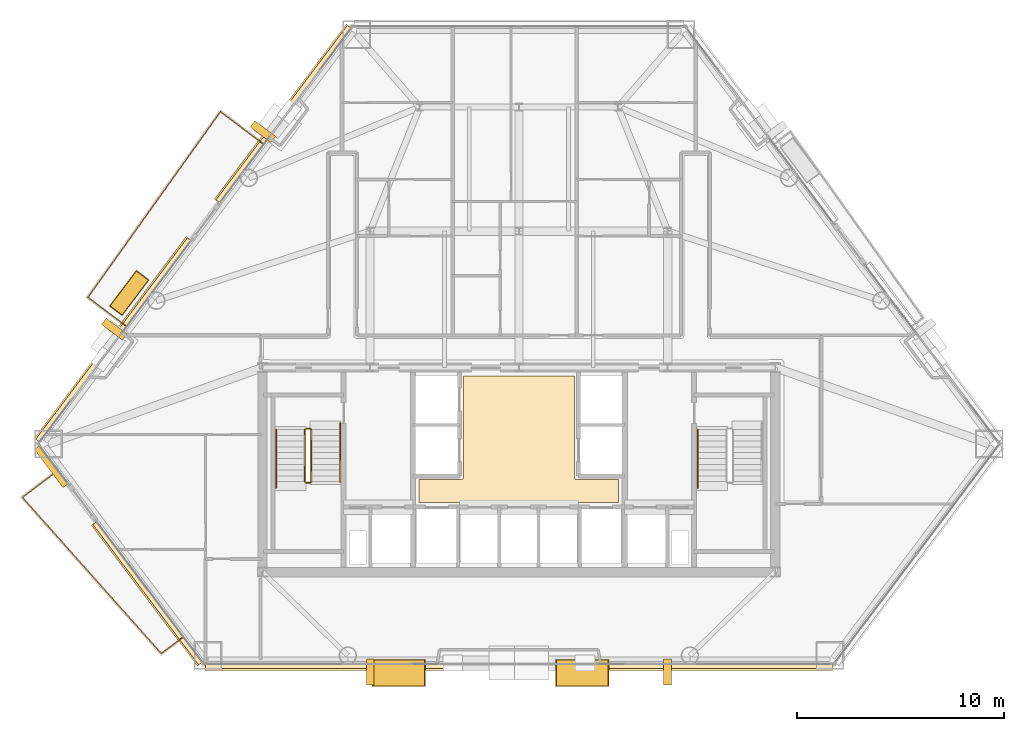
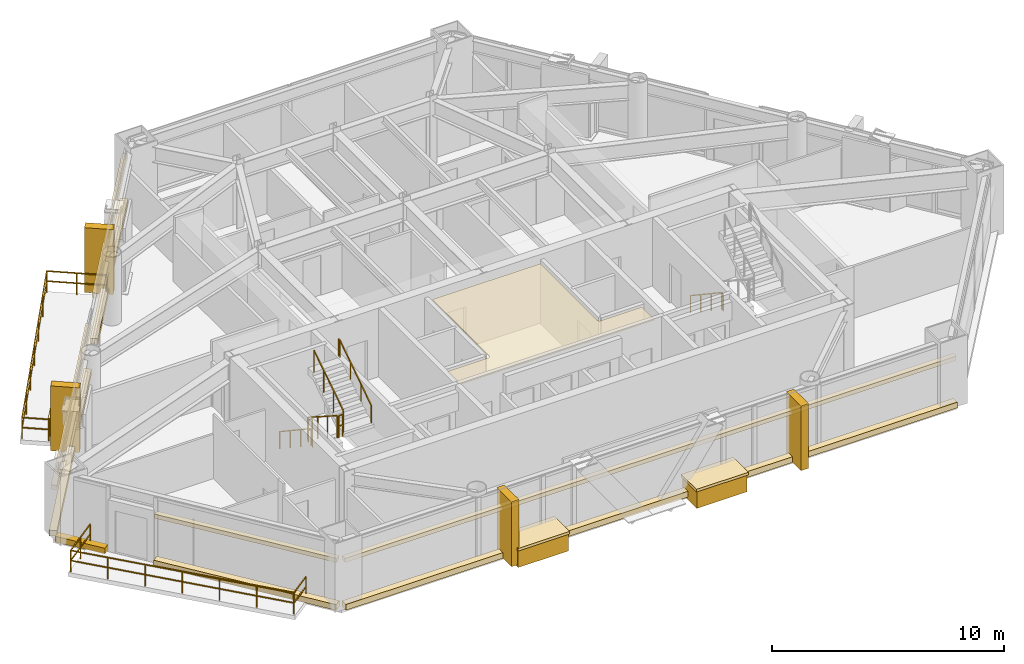
# One storey, part 10 of 11: 20 coverings, 9 railings.
"""IFC4 building model written with IfcOpenShell, lengths in metres."""

from ifc_helpers import new_model, si_unit, direction, frame, origin, origin_2d, place, context, subcontext, project, spatial, polyline, rectangle, outline, extrude, material, layer, layer_set, type_object, element, save


model = new_model("IFC4")

# Units and contexts
model_context = context("Model", 3, precision=1e-05, world=origin(), true_north=direction((0.0, 1.0)))
body_context = subcontext(model_context, "Body", "Model", "MODEL_VIEW")
ifc_project = project(units=[si_unit("LENGTHUNIT", "METRE"), si_unit("AREAUNIT", "SQUARE_METRE"), si_unit("VOLUMEUNIT", "CUBIC_METRE"), si_unit("PLANEANGLEUNIT", "RADIAN"), si_unit("MASSUNIT", "GRAM", prefix="KILO")], contexts=[model_context])

# Site, building, storey
site_placement = place(None, origin())
site = spatial("IfcSite", under=ifc_project, at=site_placement, CompositionType="ELEMENT")
building_placement = place(site_placement, origin())
building = spatial("IfcBuilding", under=site, at=building_placement, Name="Talgorran Terracotta Tower", CompositionType="ELEMENT")
storey_placement = place(building_placement, frame((0.0, 0.0, 38.699951171875)))
storey = spatial("IfcBuildingStorey", under=building, at=storey_placement, Name="L09", CompositionType="ELEMENT", Elevation=38.699951171875)

# Coverings
ifc_material_1 = material(Name="Kiln-Fired Terracotta Ochre Ceramic", Category="masonry")
ifc_layer_1 = layer(ifc_material_1, 0.179931640625, Name="COV_BAGUETTE_TERRACOTTA_SCREEN")
ifc_layer_set_1 = layer_set([ifc_layer_1], Name="Kiln-Fired Terracotta Ochre Ceramic")
covering_type_1 = type_object("IfcCoveringType", Name="COV_BAGUETTE_TERRACOTTA_SCREEN", PredefinedType="CLADDING", material=ifc_layer_set_1)
covering_1_placement = place(storey_placement, frame((-17.9482421875, -15.110595703125, 2.41015625), z_axis=(0.0, 0.0, 1.0), x_axis=(0.601633803014, -0.798772036986, 0.0)))
element("IfcCovering", 1, at=covering_1_placement, inside=storey, type_object=covering_type_1, Name="L09 Terracotta Baguette Solar Screen Assembly F11", PredefinedType="CLADDING", context=body_context, shape_type="SweptSolid", body=[
    extrude(rectangle(XDim=8.506103515625, YDim=0.260009765625, at=origin_2d()), origin(), (0.0, 0.0, 1.0), 0.219970703125),
])
covering_2_placement = place(storey_placement, frame((0.0, -18.635498046875, 2.41015625), z_axis=(0.0, 0.0, 1.0), x_axis=(1.0, 0.0, 0.0)))
element("IfcCovering", 2, at=covering_2_placement, inside=storey, type_object=covering_type_1, Name="L09 Terracotta Baguette Solar Screen Assembly F1", PredefinedType="CLADDING", context=body_context, shape_type="SweptSolid", body=[
    extrude(rectangle(XDim=30.3466796875, YDim=0.260009765625, at=origin_2d()), origin(), (0.0, 0.0, 1.0), 0.219970703125),
])
covering_3_placement = place(storey_placement, frame((-11.37158203125, 8.057861328125, 2.41015625), z_axis=(0.0, 0.0, 1.0), x_axis=(-0.601633803014, -0.798772036986, 0.0)))
element("IfcCovering", 3, at=covering_3_placement, inside=storey, type_object=covering_type_1, Name="L09 Terracotta Baguette Solar Screen Assembly F60", PredefinedType="CLADDING", context=body_context, shape_type="SweptSolid", body=[
    extrude(rectangle(XDim=10.566650390625, YDim=0.260009765625, at=origin_2d()), origin(), (0.0, 0.0, 1.0), 0.219970703125),
])
covering_4_placement = place(storey_placement, frame((-19.603759765625, -2.8720703125, 2.41015625), z_axis=(0.0, 0.0, 1.0), x_axis=(-0.601633803014, -0.798772036986, 0.0)))
element("IfcCovering", 4, at=covering_4_placement, inside=storey, type_object=covering_type_1, Name="L09 Terracotta Baguette Solar Screen Assembly F61", PredefinedType="CLADDING", context=body_context, shape_type="SweptSolid", body=[
    extrude(rectangle(XDim=12.199462890625, YDim=0.260009765625, at=origin_2d()), origin(), (0.0, 0.0, 1.0), 0.219970703125),
])
ifc_material_2 = material(Name="Flush Moisture-Resistant Plaster")
ifc_layer_2 = layer(ifc_material_2, 0.01806640625, Name="COV_CEIL_PLASTER")
ifc_layer_set_2 = layer_set([ifc_layer_2], Name="Flush Moisture-Resistant Plaster")
covering_type_2 = type_object("IfcCoveringType", Name="COV_CEIL_PLASTER", PredefinedType="CEILING", material=ifc_layer_set_2)
covering_5_placement = place(storey_placement, frame((0.0, 0.0, 3.260009765625)))
element("IfcCovering", 5, at=covering_5_placement, inside=storey, type_object=covering_type_2, Name="CEIL-L09-1", PredefinedType="CEILING", context=body_context, shape_type="SweptSolid", body=[
    extrude(outline(polyline([(-4.830078125, -9.6201171875), (-2.800048828125, -9.6201171875), (-2.7880859375, -9.619384765625), (-2.776611328125, -9.61767578125), (-2.76513671875, -9.61474609375), (-2.754150390625, -9.61083984375), (-2.743408203125, -9.605712890625), (-2.7333984375, -9.599853515625), (-2.723876953125, -9.5927734375), (-2.715087890625, -9.5849609375), (-2.707275390625, -9.576171875), (-2.7001953125, -9.566650390625), (-2.694091796875, -9.556640625), (-2.689208984375, -9.5458984375), (-2.685302734375, -9.534912109375), (-2.682373046875, -9.5234375), (-2.6806640625, -9.51171875), (-2.679931640625, -9.5), (-2.679931640625, -4.6201171875), (2.679931640625, -4.6201171875), (2.679931640625, -9.5), (2.6806640625, -9.51171875), (2.682373046875, -9.5234375), (2.685302734375, -9.534912109375), (2.689208984375, -9.5458984375), (2.694091796875, -9.556640625), (2.7001953125, -9.566650390625), (2.707275390625, -9.576171875), (2.715087890625, -9.5849609375), (2.723876953125, -9.5927734375), (2.7333984375, -9.599853515625), (2.743408203125, -9.605712890625), (2.754150390625, -9.61083984375), (2.76513671875, -9.61474609375), (2.776611328125, -9.61767578125), (2.7880859375, -9.619384765625), (2.800048828125, -9.6201171875), (4.830078125, -9.6201171875), (4.830078125, -10.72998046875), (-4.830078125, -10.72998046875), (-4.830078125, -9.6201171875)])), origin(), (0.0, 0.0, 1.0), 0.02001953125),
])
ifc_material_3 = material(Name="Honed Limestone and Terracotta Planter", Category="masonry")
ifc_layer_3 = layer(ifc_material_3, 0.1201171875, Name="COV_PLANTER_BOX")
ifc_layer_set_3 = layer_set([ifc_layer_3], Name="Honed Limestone and Terracotta Planter")
covering_type_3 = type_object("IfcCoveringType", Name="COV_PLANTER_BOX", PredefinedType="CLADDING", material=ifc_layer_set_3)
for number, where, z_axis, x_axis, name in (
    (6, (3.060546875, -18.9755859375, -0.179931640625), (0.0, 0.0, 1.0), (1.0, 0.0, 0.0), "L09 Staggered South Facade Planter Box 1"),
    (7, (-5.815185546875, -18.9755859375, -0.179931640625), (0.0, 0.0, 1.0), (1.0, 0.0, 0.0), "L09 Staggered South Facade Planter Box 2"),
):
    element("IfcCovering", number, at=place(storey_placement, frame(where, z_axis=z_axis, x_axis=x_axis)), inside=storey, type_object=covering_type_3, Name=name, PredefinedType="CLADDING", context=body_context, shape_type="SweptSolid", body=[
        extrude(rectangle(XDim=2.5, YDim=1.25, at=origin_2d()), origin(), (0.0, 0.0, 1.0), 0.919921875),
    ])
covering_6_placement = place(storey_placement, frame((-18.851806640625, -0.593994140625, -0.02001953125), z_axis=(0.0, 0.0, 1.0), x_axis=(-0.601633803014, -0.798772036986, 0.0)))
element("IfcCovering", 8, at=covering_6_placement, inside=storey, type_object=covering_type_3, Name="L09 Staggered Balcony Planter Box BAL-NW", PredefinedType="CLADDING", context=body_context, shape_type="SweptSolid", body=[
    extrude(rectangle(XDim=2.10009765625, YDim=0.719970703125, at=origin_2d()), origin(), (0.0, 0.0, 1.0), 0.860107421875),
])
ifc_material_4 = material(Name="Kiln-Fired Terracotta Planter Rim", Category="masonry")
ifc_layer_4 = layer(ifc_material_4, 0.10009765625, Name="COV_PLANTER_RIM")
ifc_layer_set_4 = layer_set([ifc_layer_4], Name="Kiln-Fired Terracotta Planter Rim")
covering_type_4 = type_object("IfcCoveringType", Name="COV_PLANTER_RIM", PredefinedType="CLADDING", material=ifc_layer_set_4)
for number, where, z_axis, x_axis, name in (
    (9, (3.060546875, -18.9755859375, 0.7099609375), (0.0, 0.0, 1.0), (1.0, 0.0, 0.0), "L09 South Planter Terracotta Rim 1"),
    (10, (-5.815185546875, -18.9755859375, 0.7099609375), (0.0, 0.0, 1.0), (1.0, 0.0, 0.0), "L09 South Planter Terracotta Rim 2"),
):
    element("IfcCovering", number, at=place(storey_placement, frame(where, z_axis=z_axis, x_axis=x_axis)), inside=storey, type_object=covering_type_4, Name=name, PredefinedType="CLADDING", context=body_context, shape_type="SweptSolid", body=[
        extrude(rectangle(XDim=2.580078125, YDim=1.320068359375, at=origin_2d()), origin(), (0.0, 0.0, 1.0), 0.139892578125),
    ])
covering_7_placement = place(storey_placement, frame((-18.851806640625, -0.593994140625, 0.800048828125), z_axis=(0.0, 0.0, 1.0), x_axis=(-0.601633803014, -0.798772036986, 0.0)))
element("IfcCovering", 11, at=covering_7_placement, inside=storey, type_object=covering_type_4, Name="L09 Balcony Planter Terracotta Rim BAL-NW", PredefinedType="CLADDING", context=body_context, shape_type="SweptSolid", body=[
    extrude(rectangle(XDim=2.179931640625, YDim=0.780029296875, at=origin_2d()), origin(), (0.0, 0.0, 1.0), 0.1201171875),
])
ifc_material_5 = material(Name="Honed Limestone Cladding", Category="masonry")
ifc_layer_5 = layer(ifc_material_5, 0.094970703125, Name="COV_PORTAL_LIME")
ifc_layer_set_5 = layer_set([ifc_layer_5], Name="Honed Limestone Cladding")
covering_type_5 = type_object("IfcCoveringType", Name="COV_PORTAL_LIME", PredefinedType="CLADDING", material=ifc_layer_set_5)
for number, where, z_axis, x_axis, name in (
    (12, (-7.1923828125, -18.935546875, -0.0498046875), (0.0, 0.0, 1.0), (1.0, 0.0, 0.0), "L09 White Striped Portal Fin F1-1"),
    (13, (-12.3857421875, 7.2099609375, -0.0498046875), (0.0, 0.0, 1.0), (-0.601633803014, -0.798772036986, 0.0), "L09 White Striped Portal Fin F5-1"),
):
    element("IfcCovering", number, at=place(storey_placement, frame(where, z_axis=z_axis, x_axis=x_axis)), inside=storey, type_object=covering_type_5, Name=name, PredefinedType="CLADDING", context=body_context, shape_type="SweptSolid", body=[
        extrude(rectangle(XDim=0.3798828125, YDim=1.25, at=origin_2d()), origin(), (0.0, 0.0, 1.0), 3.39990234375),
    ])
ifc_material_6 = material(Name="Kiln-Fired Terracotta Cladding", Category="masonry")
ifc_layer_6 = layer(ifc_material_6, 0.090087890625, Name="COV_PORTAL_TERRA")
ifc_layer_set_6 = layer_set([ifc_layer_6], Name="Kiln-Fired Terracotta Cladding")
covering_type_6 = type_object("IfcCoveringType", Name="COV_PORTAL_TERRA", PredefinedType="CLADDING", material=ifc_layer_set_6)
covering_8_placement = place(storey_placement, frame((-22.614013671875, -8.982421875, -0.0400390625), z_axis=(0.0, 0.0, 1.0), x_axis=(0.601647744124, -0.798761536374, 0.0)))
element("IfcCovering", 14, at=covering_8_placement, inside=storey, type_object=covering_type_6, Name="L09 Striped Postmodern Portal Cladding Band F10", PredefinedType="CLADDING", context=body_context, shape_type="SweptSolid", body=[
    extrude(rectangle(XDim=2.318115234375, YDim=0.340087890625, at=origin_2d()), origin(), (0.0, 0.0, 1.0), 0.300048828125),
])
covering_9_placement = place(storey_placement, frame((-17.980224609375, -15.134765625, -0.0400390625), z_axis=(0.0, 0.0, 1.0), x_axis=(0.601633803014, -0.798772036986, 0.0)))
element("IfcCovering", 15, at=covering_9_placement, inside=storey, type_object=covering_type_6, Name="L09 Striped Postmodern Portal Cladding Band F11", PredefinedType="CLADDING", context=body_context, shape_type="SweptSolid", body=[
    extrude(rectangle(XDim=8.526123046875, YDim=0.340087890625, at=origin_2d()), origin(), (0.0, 0.0, 1.0), 0.300048828125),
])
covering_10_placement = place(storey_placement, frame((0.0, -18.675537109375, -0.0400390625), z_axis=(0.0, 0.0, 1.0), x_axis=(1.0, 0.0, 0.0)))
element("IfcCovering", 16, at=covering_10_placement, inside=storey, type_object=covering_type_6, Name="L09 Striped Postmodern Portal Cladding Band F1", PredefinedType="CLADDING", context=body_context, shape_type="SweptSolid", body=[
    extrude(rectangle(XDim=30.36669921875, YDim=0.340087890625, at=origin_2d()), origin(), (0.0, 0.0, 1.0), 0.300048828125),
])
covering_11_placement = place(storey_placement, frame((-11.403564453125, 8.081787109375, -0.0400390625), z_axis=(0.0, 0.0, 1.0), x_axis=(-0.601633803014, -0.798772036986, 0.0)))
element("IfcCovering", 17, at=covering_11_placement, inside=storey, type_object=covering_type_6, Name="L09 Striped Postmodern Portal Cladding Band F60", PredefinedType="CLADDING", context=body_context, shape_type="SweptSolid", body=[
    extrude(rectangle(XDim=10.586669921875, YDim=0.340087890625, at=origin_2d()), origin(), (0.0, 0.0, 1.0), 0.300048828125),
])
covering_12_placement = place(storey_placement, frame((-19.635498046875, -2.847900390625, -0.0400390625), z_axis=(0.0, 0.0, 1.0), x_axis=(-0.601633803014, -0.798772036986, 0.0)))
element("IfcCovering", 18, at=covering_12_placement, inside=storey, type_object=covering_type_6, Name="L09 Striped Postmodern Portal Cladding Band F61", PredefinedType="CLADDING", context=body_context, shape_type="SweptSolid", body=[
    extrude(rectangle(XDim=12.219482421875, YDim=0.340087890625, at=origin_2d()), origin(), (0.0, 0.0, 1.0), 0.300048828125),
])
for number, where, z_axis, x_axis, name in (
    (19, (7.1923828125, -18.935546875, -0.0498046875), (0.0, 0.0, 1.0), (1.0, 0.0, 0.0), "L09 Terracotta Striped Portal Fin F1-2"),
    (20, (-19.578369140625, -2.339599609375, -0.0498046875), (0.0, 0.0, 1.0), (-0.601633803014, -0.798772036986, 0.0), "L09 Terracotta Striped Portal Fin F5-2"),
):
    element("IfcCovering", number, at=place(storey_placement, frame(where, z_axis=z_axis, x_axis=x_axis)), inside=storey, type_object=covering_type_6, Name=name, PredefinedType="CLADDING", context=body_context, shape_type="SweptSolid", body=[
        extrude(rectangle(XDim=0.3798828125, YDim=1.25, at=origin_2d()), origin(), (0.0, 0.0, 1.0), 3.39990234375),
    ])

# Railings
ifc_material_7 = material(Name="Laminated Glass and Stainless Steel 316", Category="steel")
railing_type_1 = type_object("IfcRailingType", Name="RL_BALCONY_1150", PredefinedType="BALUSTRADE", material=ifc_material_7)
railing_1_placement = place(storey_placement, frame((-12.35986328125, 6.612548828125, 0.0)))
element("IfcRailing", 21, at=railing_1_placement, inside=storey, type_object=railing_type_1, Name="RL-L09-BAL-BAL-NW", PredefinedType="BALUSTRADE", context=body_context, shape_type="SweptSolid", body=[
    extrude(rectangle(XDim=0.048095703125, YDim=0.048095703125, at=origin_2d()), frame((0.0, 0.0, 1.1259765625), z_axis=(-0.798783879792, 0.601618079336, 0.0), x_axis=(-0.601618079336, -0.798783879792, 0.0)), (0.0, 0.0, 1.0), 2.605224609375),
    extrude(rectangle(XDim=0.048095703125, YDim=0.048095703125, at=origin_2d()), frame((0.0, 0.0, 0.597900390625), z_axis=(-0.798783879792, 0.601618079336, 0.0), x_axis=(-0.601618079336, -0.798783879792, 0.0)), (0.0, 0.0, 1.0), 2.605224609375),
    extrude(rectangle(XDim=0.048095703125, YDim=0.048095703125, at=origin_2d()), frame((-2.0810546875, 1.5673828125, 1.1259765625), z_axis=(-0.580945178198, -0.813942688357, 0.0), x_axis=(0.813942688357, -0.580945178198, 0.0)), (0.0, 0.0, 1.0), 11.03564453125),
    extrude(rectangle(XDim=0.048095703125, YDim=0.048095703125, at=origin_2d()), frame((-2.0810546875, 1.5673828125, 0.597900390625), z_axis=(-0.580945178198, -0.813942688357, 0.0), x_axis=(0.813942688357, -0.580945178198, 0.0)), (0.0, 0.0, 1.0), 11.03564453125),
    extrude(rectangle(XDim=0.048095703125, YDim=0.048095703125, at=origin_2d()), frame((-8.4921875, -7.4150390625, 1.1259765625), z_axis=(0.798761997288, -0.601647132203, 0.0), x_axis=(0.601647132203, 0.798761997288, 0.0)), (0.0, 0.0, 1.0), 2.322265625),
    extrude(rectangle(XDim=0.048095703125, YDim=0.048095703125, at=origin_2d()), frame((-8.4921875, -7.4150390625, 0.597900390625), z_axis=(0.798761997288, -0.601647132203, 0.0), x_axis=(0.601647132203, 0.798761997288, 0.0)), (0.0, 0.0, 1.0), 2.322265625),
    extrude(rectangle(XDim=0.0419921875, YDim=0.0419921875, at=origin_2d()), origin(), (0.0, 0.0, 1.0), 1.101806640625),
    extrude(rectangle(XDim=0.0419921875, YDim=0.0419921875, at=origin_2d()), frame((-1.04052734375, 0.78369140625, 0.0)), (0.0, 0.0, 1.0), 1.101806640625),
    extrude(rectangle(XDim=0.0419921875, YDim=0.0419921875, at=origin_2d()), frame((-2.0810546875, 1.5673828125, 0.0)), (0.0, 0.0, 1.0), 1.101806640625),
    extrude(rectangle(XDim=0.0419921875, YDim=0.0419921875, at=origin_2d()), frame((-3.149658203125, 0.0703125, 0.0)), (0.0, 0.0, 1.0), 1.101806640625),
    extrude(rectangle(XDim=0.0419921875, YDim=0.0419921875, at=origin_2d()), frame((-4.218017578125, -1.4267578125, 0.0)), (0.0, 0.0, 1.0), 1.101806640625),
    extrude(rectangle(XDim=0.0419921875, YDim=0.0419921875, at=origin_2d()), frame((-5.28662109375, -2.923828125, 0.0)), (0.0, 0.0, 1.0), 1.101806640625),
    extrude(rectangle(XDim=0.0419921875, YDim=0.0419921875, at=origin_2d()), frame((-6.355224609375, -4.4208984375, 0.0)), (0.0, 0.0, 1.0), 1.101806640625),
    extrude(rectangle(XDim=0.0419921875, YDim=0.0419921875, at=origin_2d()), frame((-7.423583984375, -5.91796875, 0.0)), (0.0, 0.0, 1.0), 1.101806640625),
    extrude(rectangle(XDim=0.0419921875, YDim=0.0419921875, at=origin_2d()), frame((-8.4921875, -7.4150390625, 0.0)), (0.0, 0.0, 1.0), 1.101806640625),
    extrude(rectangle(XDim=0.0419921875, YDim=0.0419921875, at=origin_2d()), frame((-7.564697265625, -8.11376953125, 0.0)), (0.0, 0.0, 1.0), 1.101806640625),
    extrude(rectangle(XDim=0.0419921875, YDim=0.0419921875, at=origin_2d()), frame((-6.63720703125, -8.812255859375, 0.0)), (0.0, 0.0, 1.0), 1.101806640625),
])
railing_2_placement = place(storey_placement, frame((-22.30908203125, -9.187744140625, 0.0)))
element("IfcRailing", 22, at=railing_2_placement, inside=storey, type_object=railing_type_1, Name="RL-L09-BAL-BAL-SW", PredefinedType="BALUSTRADE", context=body_context, shape_type="SweptSolid", body=[
    extrude(rectangle(XDim=0.048095703125, YDim=0.048095703125, at=origin_2d()), frame((0.0, 0.0, 1.1259765625), z_axis=(-0.798825800314, -0.601562416339, 0.0), x_axis=(0.601562416339, -0.798825800314, 0.0)), (0.0, 0.0, 1.0), 2.1484375),
    extrude(rectangle(XDim=0.048095703125, YDim=0.048095703125, at=origin_2d()), frame((0.0, 0.0, 0.597900390625), z_axis=(-0.798825800314, -0.601562416339, 0.0), x_axis=(0.601562416339, -0.798825800314, 0.0)), (0.0, 0.0, 1.0), 2.1484375),
    extrude(rectangle(XDim=0.048095703125, YDim=0.048095703125, at=origin_2d()), frame((-1.71630859375, -1.29248046875, 1.1259765625), z_axis=(0.664894032664, -0.746937698424, 0.0), x_axis=(0.746937698424, 0.664894032664, 0.0)), (0.0, 0.0, 1.0), 10.114501953125),
    extrude(rectangle(XDim=0.048095703125, YDim=0.048095703125, at=origin_2d()), frame((-1.71630859375, -1.29248046875, 0.597900390625), z_axis=(0.664894032664, -0.746937698424, 0.0), x_axis=(0.746937698424, 0.664894032664, 0.0)), (0.0, 0.0, 1.0), 10.114501953125),
    extrude(rectangle(XDim=0.048095703125, YDim=0.048095703125, at=origin_2d()), frame((5.0087890625, -8.847412109375, 1.1259765625), z_axis=(0.798823780259, 0.601565098799, 0.0), x_axis=(-0.601565098799, 0.798823780259, 0.0)), (0.0, 0.0, 1.0), 1.32177734375),
    extrude(rectangle(XDim=0.048095703125, YDim=0.048095703125, at=origin_2d()), frame((5.0087890625, -8.847412109375, 0.597900390625), z_axis=(0.798823780259, 0.601565098799, 0.0), x_axis=(-0.601565098799, 0.798823780259, 0.0)), (0.0, 0.0, 1.0), 1.32177734375),
    extrude(rectangle(XDim=0.0419921875, YDim=0.0419921875, at=origin_2d()), origin(), (0.0, 0.0, 1.0), 1.101806640625),
    extrude(rectangle(XDim=0.0419921875, YDim=0.0419921875, at=origin_2d()), frame((-0.858154296875, -0.646240234375, 0.0)), (0.0, 0.0, 1.0), 1.101806640625),
    extrude(rectangle(XDim=0.0419921875, YDim=0.0419921875, at=origin_2d()), frame((-1.71630859375, -1.29248046875, 0.0)), (0.0, 0.0, 1.0), 1.101806640625),
    extrude(rectangle(XDim=0.0419921875, YDim=0.0419921875, at=origin_2d()), frame((-0.595458984375, -2.5517578125, 0.0)), (0.0, 0.0, 1.0), 1.101806640625),
    extrude(rectangle(XDim=0.0419921875, YDim=0.0419921875, at=origin_2d()), frame((0.525390625, -3.810791015625, 0.0)), (0.0, 0.0, 1.0), 1.101806640625),
    extrude(rectangle(XDim=0.0419921875, YDim=0.0419921875, at=origin_2d()), frame((1.646240234375, -5.06982421875, 0.0)), (0.0, 0.0, 1.0), 1.101806640625),
    extrude(rectangle(XDim=0.0419921875, YDim=0.0419921875, at=origin_2d()), frame((2.76708984375, -6.3291015625, 0.0)), (0.0, 0.0, 1.0), 1.101806640625),
    extrude(rectangle(XDim=0.0419921875, YDim=0.0419921875, at=origin_2d()), frame((3.887939453125, -7.58837890625, 0.0)), (0.0, 0.0, 1.0), 1.101806640625),
    extrude(rectangle(XDim=0.0419921875, YDim=0.0419921875, at=origin_2d()), frame((5.0087890625, -8.847412109375, 0.0)), (0.0, 0.0, 1.0), 1.101806640625),
    extrude(rectangle(XDim=0.0419921875, YDim=0.0419921875, at=origin_2d()), frame((6.064697265625, -8.05224609375, 0.0)), (0.0, 0.0, 1.0), 1.101806640625),
])
ifc_material_8 = material(Name="Steel S355 (300PLUS)", Category="steel")
railing_type_2 = type_object("IfcRailingType", Name="RL_HANDRAIL_920", PredefinedType="HANDRAIL", material=ifc_material_8)
railing_3_placement = place(storey_placement, frame((-11.75, -7.199951171875, 0.179931640625)))
element("IfcRailing", 23, at=railing_3_placement, inside=storey, type_object=railing_type_2, Name="L09 ST-01 stair handrail 1", PredefinedType="HANDRAIL", context=body_context, shape_type="SweptSolid", body=[
    extrude(rectangle(XDim=0.048095703125, YDim=0.048095703125, at=origin_2d()), frame((0.0, 0.0, 0.89599609375), z_axis=(0.0, -0.832038719335, 0.554717558338), x_axis=(1.0, 0.0, 0.0)), (0.0, 0.0, 1.0), 3.244873046875),
    extrude(rectangle(XDim=0.048095703125, YDim=0.048095703125, at=origin_2d()), frame((0.0, -2.699951171875, 2.69580078125), z_axis=(0.0, -1.0, 0.0), x_axis=(1.0, 0.0, 0.0)), (0.0, 0.0, 1.0), 0.1201171875),
    extrude(rectangle(XDim=0.0419921875, YDim=0.0419921875, at=origin_2d()), origin(), (0.0, 0.0, 1.0), 0.871826171875),
    extrude(rectangle(XDim=0.0419921875, YDim=0.0419921875, at=origin_2d()), frame((0.0, -0.89990234375, 0.60009765625)), (0.0, 0.0, 1.0), 0.871826171875),
    extrude(rectangle(XDim=0.0419921875, YDim=0.0419921875, at=origin_2d()), frame((0.0, -1.800048828125, 1.199951171875)), (0.0, 0.0, 1.0), 0.871826171875),
    extrude(rectangle(XDim=0.0419921875, YDim=0.0419921875, at=origin_2d()), frame((0.0, -2.699951171875, 1.800048828125)), (0.0, 0.0, 1.0), 0.871826171875),
    extrude(rectangle(XDim=0.0419921875, YDim=0.0419921875, at=origin_2d()), frame((0.0, -2.820068359375, 1.800048828125)), (0.0, 0.0, 1.0), 0.871826171875),
])
railing_4_placement = place(storey_placement, frame((-8.64990234375, -9.719970703125, 1.97998046875)))
element("IfcRailing", 24, at=railing_4_placement, inside=storey, type_object=railing_type_2, Name="L09 ST-01 stair handrail 2", PredefinedType="HANDRAIL", context=body_context, shape_type="SweptSolid", body=[
    extrude(rectangle(XDim=0.048095703125, YDim=0.048095703125, at=origin_2d()), frame((0.0, 0.0, 0.89599609375), z_axis=(0.0, 0.832038719335, 0.554717558338), x_axis=(-1.0, 0.0, 0.0)), (0.0, 0.0, 1.0), 3.244873046875),
    extrude(rectangle(XDim=0.048095703125, YDim=0.048095703125, at=origin_2d()), frame((0.0, 2.699951171875, 2.69580078125), z_axis=(0.0, 1.0, 0.0), x_axis=(-1.0, 0.0, 0.0)), (0.0, 0.0, 1.0), 0.1201171875),
    extrude(rectangle(XDim=0.0419921875, YDim=0.0419921875, at=origin_2d()), origin(), (0.0, 0.0, 1.0), 0.871826171875),
    extrude(rectangle(XDim=0.0419921875, YDim=0.0419921875, at=origin_2d()), frame((0.0, 0.89990234375, 0.60009765625)), (0.0, 0.0, 1.0), 0.871826171875),
    extrude(rectangle(XDim=0.0419921875, YDim=0.0419921875, at=origin_2d()), frame((0.0, 1.800048828125, 1.199951171875)), (0.0, 0.0, 1.0), 0.871826171875),
    extrude(rectangle(XDim=0.0419921875, YDim=0.0419921875, at=origin_2d()), frame((0.0, 2.699951171875, 1.800048828125)), (0.0, 0.0, 1.0), 0.871826171875),
    extrude(rectangle(XDim=0.0419921875, YDim=0.0419921875, at=origin_2d()), frame((0.0, 2.820068359375, 1.800048828125)), (0.0, 0.0, 1.0), 0.871826171875),
])
railing_5_placement = place(storey_placement, frame((8.64990234375, -7.199951171875, 0.179931640625)))
element("IfcRailing", 25, at=railing_5_placement, inside=storey, type_object=railing_type_2, Name="L09 ST-02 stair handrail 1", PredefinedType="HANDRAIL", context=body_context, shape_type="SweptSolid", body=[
    extrude(rectangle(XDim=0.048095703125, YDim=0.048095703125, at=origin_2d()), frame((0.0, 0.0, 0.89599609375), z_axis=(0.0, -0.832038719335, 0.554717558338), x_axis=(1.0, 0.0, 0.0)), (0.0, 0.0, 1.0), 3.244873046875),
    extrude(rectangle(XDim=0.048095703125, YDim=0.048095703125, at=origin_2d()), frame((0.0, -2.699951171875, 2.69580078125), z_axis=(0.0, -1.0, 0.0), x_axis=(1.0, 0.0, 0.0)), (0.0, 0.0, 1.0), 0.1201171875),
    extrude(rectangle(XDim=0.0419921875, YDim=0.0419921875, at=origin_2d()), origin(), (0.0, 0.0, 1.0), 0.871826171875),
    extrude(rectangle(XDim=0.0419921875, YDim=0.0419921875, at=origin_2d()), frame((0.0, -0.89990234375, 0.60009765625)), (0.0, 0.0, 1.0), 0.871826171875),
    extrude(rectangle(XDim=0.0419921875, YDim=0.0419921875, at=origin_2d()), frame((0.0, -1.800048828125, 1.199951171875)), (0.0, 0.0, 1.0), 0.871826171875),
    extrude(rectangle(XDim=0.0419921875, YDim=0.0419921875, at=origin_2d()), frame((0.0, -2.699951171875, 1.800048828125)), (0.0, 0.0, 1.0), 0.871826171875),
    extrude(rectangle(XDim=0.0419921875, YDim=0.0419921875, at=origin_2d()), frame((0.0, -2.820068359375, 1.800048828125)), (0.0, 0.0, 1.0), 0.871826171875),
])
railing_type_3 = type_object("IfcRailingType", Name="RL_STAIR_GUARD", PredefinedType="GUARDRAIL", material=ifc_material_8)
railing_6_placement = place(storey_placement, frame((-10.35009765625, -7.199951171875, 0.179931640625)))
element("IfcRailing", 26, at=railing_6_placement, inside=storey, type_object=railing_type_3, Name="L09 ST-01 stair guard 1", PredefinedType="GUARDRAIL", context=body_context, shape_type="SweptSolid", body=[
    extrude(rectangle(XDim=0.048095703125, YDim=0.048095703125, at=origin_2d()), frame((0.0, 0.0, 1.15576171875), z_axis=(0.0, -0.841162588446, 0.540782303519), x_axis=(1.0, 0.0, 0.0)), (0.0, 0.0, 1.0), 2.995849609375),
    extrude(rectangle(XDim=0.0419921875, YDim=0.0419921875, at=origin_2d()), origin(), (0.0, 0.0, 1.0), 1.1318359375),
    extrude(rectangle(XDim=0.0419921875, YDim=0.0419921875, at=origin_2d()), frame((0.0, -0.840087890625, 0.5400390625)), (0.0, 0.0, 1.0), 1.1318359375),
    extrude(rectangle(XDim=0.0419921875, YDim=0.0419921875, at=origin_2d()), frame((0.0, -1.679931640625, 1.080078125)), (0.0, 0.0, 1.0), 1.1318359375),
    extrude(rectangle(XDim=0.0419921875, YDim=0.0419921875, at=origin_2d()), frame((0.0, -2.52001953125, 1.6201171875)), (0.0, 0.0, 1.0), 1.1318359375),
])
railing_7_placement = place(storey_placement, frame((-10.300048828125, -9.77001953125, 1.800048828125)))
element("IfcRailing", 27, at=railing_7_placement, inside=storey, type_object=railing_type_3, Name="L09 ST-01 stair guard 2", PredefinedType="GUARDRAIL", context=body_context, shape_type="SweptSolid", body=[
    extrude(rectangle(XDim=0.048095703125, YDim=0.048095703125, at=origin_2d()), frame((0.0, 0.0, 1.15576171875), z_axis=(1.0, 0.0, 0.0), x_axis=(0.0, 1.0, 0.0)), (0.0, 0.0, 1.0), 0.199951171875),
    extrude(rectangle(XDim=0.048095703125, YDim=0.048095703125, at=origin_2d()), frame((0.0, 0.0, 0.613525390625), z_axis=(1.0, 0.0, 0.0), x_axis=(0.0, 1.0, 0.0)), (0.0, 0.0, 1.0), 0.199951171875),
    extrude(rectangle(XDim=0.0419921875, YDim=0.0419921875, at=origin_2d()), origin(), (0.0, 0.0, 1.0), 1.1318359375),
    extrude(rectangle(XDim=0.0419921875, YDim=0.0419921875, at=origin_2d()), frame((0.199951171875, 0.0, 0.0)), (0.0, 0.0, 1.0), 1.1318359375),
])
railing_8_placement = place(storey_placement, frame((-10.050048828125, -9.719970703125, 1.97998046875)))
element("IfcRailing", 28, at=railing_8_placement, inside=storey, type_object=railing_type_3, Name="L09 ST-01 stair guard 3", PredefinedType="GUARDRAIL", context=body_context, shape_type="SweptSolid", body=[
    extrude(rectangle(XDim=0.048095703125, YDim=0.048095703125, at=origin_2d()), frame((0.0, 0.0, 1.15576171875), z_axis=(0.0, 0.841162588446, 0.540782303519), x_axis=(-1.0, 0.0, 0.0)), (0.0, 0.0, 1.0), 2.995849609375),
    extrude(rectangle(XDim=0.0419921875, YDim=0.0419921875, at=origin_2d()), origin(), (0.0, 0.0, 1.0), 1.1318359375),
    extrude(rectangle(XDim=0.0419921875, YDim=0.0419921875, at=origin_2d()), frame((0.0, 0.840087890625, 0.5400390625)), (0.0, 0.0, 1.0), 1.1318359375),
    extrude(rectangle(XDim=0.0419921875, YDim=0.0419921875, at=origin_2d()), frame((0.0, 1.679931640625, 1.080078125)), (0.0, 0.0, 1.0), 1.1318359375),
    extrude(rectangle(XDim=0.0419921875, YDim=0.0419921875, at=origin_2d()), frame((0.0, 2.52001953125, 1.6201171875)), (0.0, 0.0, 1.0), 1.1318359375),
])
railing_9_placement = place(storey_placement, frame((-10.300048828125, -7.14990234375, 0.0)))
element("IfcRailing", 29, at=railing_9_placement, inside=storey, type_object=railing_type_3, Name="L09 ST-01 stair guard 4", PredefinedType="GUARDRAIL", context=body_context, shape_type="SweptSolid", body=[
    extrude(rectangle(XDim=0.048095703125, YDim=0.048095703125, at=origin_2d()), frame((0.0, 0.0, 1.15576171875), z_axis=(1.0, 0.0, 0.0), x_axis=(0.0, 1.0, 0.0)), (0.0, 0.0, 1.0), 0.199951171875),
    extrude(rectangle(XDim=0.048095703125, YDim=0.048095703125, at=origin_2d()), frame((0.0, 0.0, 0.613525390625), z_axis=(1.0, 0.0, 0.0), x_axis=(0.0, 1.0, 0.0)), (0.0, 0.0, 1.0), 0.199951171875),
    extrude(rectangle(XDim=0.0419921875, YDim=0.0419921875, at=origin_2d()), origin(), (0.0, 0.0, 1.0), 1.1318359375),
    extrude(rectangle(XDim=0.0419921875, YDim=0.0419921875, at=origin_2d()), frame((0.199951171875, 0.0, 0.0)), (0.0, 0.0, 1.0), 1.1318359375),
])

save(model, "model.ifc")
